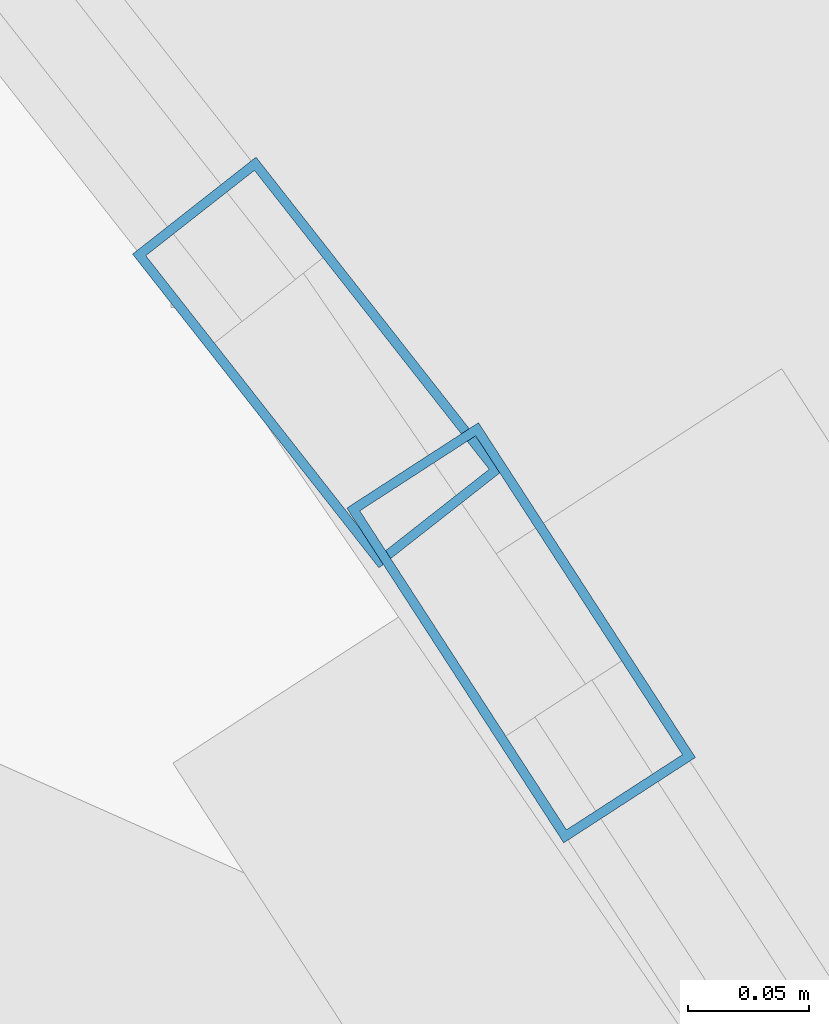
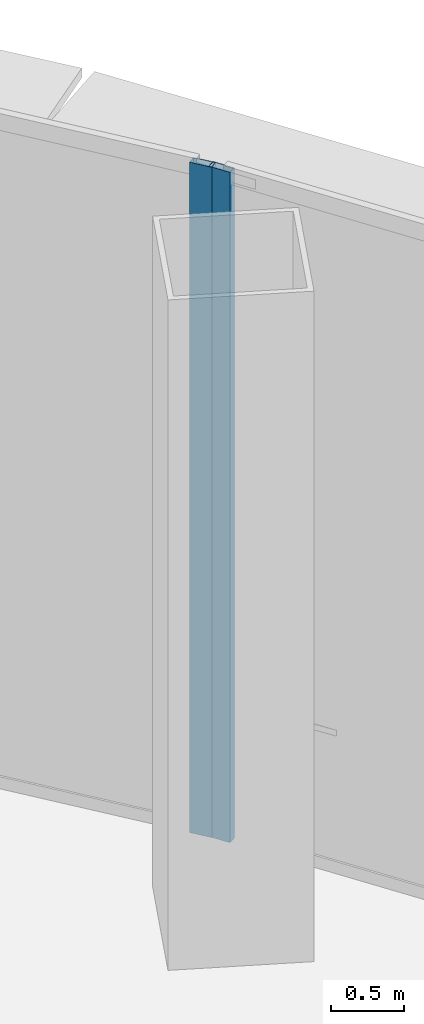
# One storey, part 19 of 36: 2 members, 2 elements without a shape of their own.
"""IFC4 building model written with IfcOpenShell, lengths in metres."""

import ifcopenshell
import ifcopenshell.guid

model = None  # the IFC model being written
_history = None  # IfcOwnerHistory: only IFC2X3 demands one
_inside = {}  # id of a spatial element -> (the spatial element, [elements in it])
_under = {}  # id of a project, library or spatial element -> (it, [spatial elements below it])
_declared = {}  # id of a project -> (the project, [libraries it declares])
_typed = {}  # id of a type object -> (the type object, [elements of that type])
_made_of = {}  # id of a material, layer set ... -> (it, [elements and type objects made of it])


def new_model(schema):
    """Start an empty IFC model of exactly this schema.

    Asked for "IFC4X3", IfcOpenShell would pick the latest addendum, in which some entities
    have other attributes; the version numbers below select the first issue.
    IFC2X3 requires an IfcOwnerHistory on every rooted entity: one is made here for all.
    """
    global model, _history
    if schema == "IFC4X3":
        model = ifcopenshell.file(schema_version=(4, 3, 0, 0))
    else:
        model = ifcopenshell.file(schema=schema)
    _inside.clear()
    _under.clear()
    _declared.clear()
    _typed.clear()
    _made_of.clear()
    _history = None
    if model.schema == "IFC2X3":
        org = make("IfcOrganization", Name="unknown")
        user = make(
            "IfcPersonAndOrganization",
            ThePerson=make("IfcPerson", FamilyName="unknown"),
            TheOrganization=org,
        )
        app = make(
            "IfcApplication",
            ApplicationDeveloper=org,
            Version="unknown",
            ApplicationFullName="unknown",
            ApplicationIdentifier="unknown",
        )
        _history = make(
            "IfcOwnerHistory",
            OwningUser=user,
            OwningApplication=app,
            ChangeAction="ADDED",
            CreationDate=0,
        )
    return model


def make(cls, **values):
    """One entity of the class cls with the attributes given. An attribute that is None is left unset."""
    return model.create_entity(
        cls, **{name: value for name, value in values.items() if value is not None}
    )


def rooted(cls, **values):
    """An entity with a GlobalId (a new one), such as an element, a storey or a relation."""
    return make(cls, GlobalId=ifcopenshell.guid.new(), OwnerHistory=_history, **values)


def si_unit(unit_type, name, prefix=None):
    """IfcSIUnit, for example si_unit("LENGTHUNIT", "METRE", prefix="MILLI")."""
    return make("IfcSIUnit", UnitType=unit_type, Prefix=prefix, Name=name)


def assignment(units):
    """IfcUnitAssignment: the units of a project."""
    return None if units is None else make("IfcUnitAssignment", Units=units)


def point(xyz):
    """IfcCartesianPoint."""
    return None if xyz is None else make("IfcCartesianPoint", Coordinates=xyz)


def direction(xyz):
    """IfcDirection."""
    return None if xyz is None else make("IfcDirection", DirectionRatios=xyz)


def frame(location, z_axis=None, x_axis=None):
    """IfcAxis2Placement3D, a coordinate frame: its origin and axes. An axis left out is left unset."""
    return make(
        "IfcAxis2Placement3D",
        Location=point(location),
        Axis=direction(z_axis),
        RefDirection=direction(x_axis),
    )


def frame_2d(location, x_axis=None):
    """IfcAxis2Placement2D, a coordinate frame in the plane: its origin and x axis."""
    return make(
        "IfcAxis2Placement2D", Location=point(location), RefDirection=direction(x_axis)
    )


def origin():
    """The frame at (0, 0, 0) with its axes left unset."""
    return frame((0.0, 0.0, 0.0))


def origin_2d():
    """The frame at (0, 0) in the plane with its x axis left unset."""
    return frame_2d((0.0, 0.0))


def place(relative_to, where):
    """IfcLocalPlacement: puts the frame where relative to a parent placement (None: the world)."""
    return make(
        "IfcLocalPlacement", PlacementRelTo=relative_to, RelativePlacement=where
    )


def context(
    kind, dimensions, precision=None, world=None, true_north=None, identifier=None
):
    """IfcGeometricRepresentationContext, for example the 3D "Model" context."""
    return make(
        "IfcGeometricRepresentationContext",
        ContextIdentifier=identifier,
        ContextType=kind,
        CoordinateSpaceDimension=dimensions,
        Precision=precision,
        WorldCoordinateSystem=world,
        TrueNorth=true_north,
    )


def subcontext(parent, identifier, kind, view, scale=None):
    """IfcGeometricRepresentationSubContext, for example "Body" below "Model"."""
    return make(
        "IfcGeometricRepresentationSubContext",
        ContextIdentifier=identifier,
        ContextType=kind,
        ParentContext=parent,
        TargetScale=scale,
        TargetView=view,
    )


def project(units=None, contexts=None):
    """IfcProject with its units and contexts."""
    return rooted(
        "IfcProject",
        Name="project",
        RepresentationContexts=contexts,
        UnitsInContext=assignment(units),
    )


def spatial(cls, under=None, at=None, **own):
    """A site, building, storey or space (cls), placed at a placement, below another one or the project."""
    s = rooted(cls, ObjectPlacement=at, **own)
    if under is not None:
        _under.setdefault(under.id(), (under, []))[1].append(s)
    return s


def profile(cls, at=None, kind="AREA", **sizes):
    """A parametric profile (cls). Its sizes go by their IFC names, for example OverallWidth=200.0."""
    return make(cls, ProfileType=kind, Position=at, **sizes)


def hollow_rectangle(**sizes):
    """IfcRectangleHollowProfileDef."""
    return profile("IfcRectangleHollowProfileDef", **sizes)


def extrude(swept, where, along, depth):
    """IfcExtrudedAreaSolid: the profile swept, set in the frame where, extruded along a direction by depth."""
    return make(
        "IfcExtrudedAreaSolid",
        SweptArea=swept,
        Position=where,
        ExtrudedDirection=direction(along),
        Depth=depth,
    )


def shape(context_of_items, identifier, shape_type, items):
    """IfcShapeRepresentation: the items that make up one representation, for example the "Body"."""
    return make(
        "IfcShapeRepresentation",
        ContextOfItems=context_of_items,
        RepresentationIdentifier=identifier,
        RepresentationType=shape_type,
        Items=items,
    )


def source(mapping_origin, context_of_items, identifier, shape_type, items):
    """IfcRepresentationMap: a shape defined once, which mapped items show again and again."""
    return make(
        "IfcRepresentationMap",
        MappingOrigin=mapping_origin,
        MappedRepresentation=shape(context_of_items, identifier, shape_type, items),
    )


def transform(
    local_origin,
    x_axis=None,
    y_axis=None,
    z_axis=None,
    scale=None,
    scale2=None,
    scale3=None,
    uniform=True,
):
    """IfcCartesianTransformationOperator3D, or its non-uniform kind. x_axis, y_axis, z_axis: its Axis1, 2, 3."""
    if uniform:
        return make(
            "IfcCartesianTransformationOperator3D",
            Axis1=direction(x_axis),
            Axis2=direction(y_axis),
            LocalOrigin=point(local_origin),
            Scale=scale,
            Axis3=direction(z_axis),
        )
    return make(
        "IfcCartesianTransformationOperator3DnonUniform",
        Axis1=direction(x_axis),
        Axis2=direction(y_axis),
        LocalOrigin=point(local_origin),
        Scale=scale,
        Axis3=direction(z_axis),
        Scale2=scale2,
        Scale3=scale3,
    )


def mapped(mapping_source, mapping_target):
    """IfcMappedItem: shows the shape of a source again, moved by a transform."""
    return make(
        "IfcMappedItem", MappingSource=mapping_source, MappingTarget=mapping_target
    )


def material(Name=None, Category=None):
    """IfcMaterial."""
    return make("IfcMaterial", Name=Name, Category=Category)


def layer(
    of_material, thickness, ventilated=None, Name=None, Category=None, Priority=None
):
    """IfcMaterialLayer: one layer of a wall or slab, of a material (None: an air gap)."""
    return make(
        "IfcMaterialLayer",
        Material=of_material,
        LayerThickness=thickness,
        IsVentilated=ventilated,
        Name=Name,
        Category=Category,
        Priority=Priority,
    )


def layer_set(layers, Name=None):
    """IfcMaterialLayerSet."""
    return make("IfcMaterialLayerSet", MaterialLayers=layers, LayerSetName=Name)


def material_profile(
    of_material, cross_section, Name=None, Category=None, Priority=None
):
    """IfcMaterialProfile: a cross section and its material."""
    return make(
        "IfcMaterialProfile",
        Name=Name,
        Material=of_material,
        Profile=cross_section,
        Priority=Priority,
        Category=Category,
    )


def profile_set(profiles, Name=None, composite=None):
    """IfcMaterialProfileSet."""
    return make(
        "IfcMaterialProfileSet",
        Name=Name,
        MaterialProfiles=profiles,
        CompositeProfile=composite,
    )


def made_of(thing, what):
    """Note that an element or type object is made of a material, layer set ...; save() writes the relation."""
    if what is not None:
        _made_of.setdefault(what.id(), (what, []))[1].append(thing)
    return thing


def type_object(cls, material=None, **own):
    """A type object (cls), such as IfcWallType, which elements share."""
    return made_of(rooted(cls, **own), material)


def element(
    cls,
    number,
    at=None,
    inside=None,
    cuts=None,
    type_object=None,
    material=None,
    context=None,
    identifier="Body",
    shape_type=None,
    held_by="IfcProductDefinitionShape",
    body=None,
    shapes=None,
    **own,
):
    """One element of the class cls, such as IfcWall. Its Tag is "e" and its number.

    at: its placement. inside: the storey or other place that contains it. cuts: it is an
    opening in that element (IfcRelVoidsElement). A single representation is given by context,
    identifier, shape_type and body (its items); several are given by shapes. held_by: the class
    of the entity that holds the representations. save() writes the other relations.
    """
    e = rooted(cls, Tag="e%d" % number, ObjectPlacement=at, **own)
    if body is not None:
        shapes = [shape(context, identifier, shape_type, body)]
    if shapes is not None:
        e.Representation = make(held_by, Representations=shapes)
    if inside is not None:
        _inside.setdefault(inside.id(), (inside, []))[1].append(e)
    if cuts is not None:
        rooted(
            "IfcRelVoidsElement", RelatingBuildingElement=cuts, RelatedOpeningElement=e
        )
    if type_object is not None:
        _typed.setdefault(type_object.id(), (type_object, []))[1].append(e)
    return made_of(e, material)


def aggregate(whole, parts):
    """IfcRelAggregates: a whole, such as a stair, and the parts it consists of."""
    return rooted("IfcRelAggregates", RelatingObject=whole, RelatedObjects=parts)


def save(model, path):
    """Write the relations noted so far, then the file.

    IfcRelAggregates (storeys below a building ...), IfcRelContainedInSpatialStructure (elements
    in a storey), IfcRelDefinesByType, IfcRelAssociatesMaterial and IfcRelDeclares: one each for
    every whole, place, type object, material and project.
    """
    for whole, parts in _under.values():
        aggregate(whole, parts)
    for where, things in _inside.values():
        rooted(
            "IfcRelContainedInSpatialStructure",
            RelatedElements=things,
            RelatingStructure=where,
        )
    for kind, things in _typed.values():
        rooted("IfcRelDefinesByType", RelatedObjects=things, RelatingType=kind)
    for what, things in _made_of.values():
        rooted("IfcRelAssociatesMaterial", RelatedObjects=things, RelatingMaterial=what)
    for by, libraries in _declared.values():
        rooted("IfcRelDeclares", RelatingContext=by, RelatedDefinitions=libraries)
    model.write(path)


model = new_model("IFC4")

# Units and contexts
model_context = context("Model", 3, precision=1e-05, world=origin(), true_north=direction((0.0, 1.0)))
body_context = subcontext(model_context, "Body", "Model", "MODEL_VIEW")
ifc_project = project(units=[si_unit("LENGTHUNIT", "METRE"), si_unit("AREAUNIT", "SQUARE_METRE"), si_unit("VOLUMEUNIT", "CUBIC_METRE"), si_unit("PLANEANGLEUNIT", "RADIAN"), si_unit("MASSUNIT", "GRAM", prefix="KILO"), si_unit("THERMODYNAMICTEMPERATUREUNIT", "KELVIN"), si_unit("POWERUNIT", "WATT")], contexts=[model_context])

# Site, building, storey
site_placement = place(None, origin())
site = spatial("IfcSite", under=ifc_project, at=site_placement, CompositionType="ELEMENT")
building_placement = place(site_placement, origin())
building = spatial("IfcBuilding", under=site, at=building_placement, Name="Yunzhuo Pagoda Commons", CompositionType="ELEMENT")
storey_placement = place(building_placement, frame((0.0, 0.0, 119.179931640625)))
storey = spatial("IfcBuildingStorey", under=building, at=storey_placement, Name="L30", CompositionType="ELEMENT", Elevation=119.179931640625)

# Curtain wall, member
ifc_material = material(Name="Anodized aluminium 6063-T6", Category="aluminium")
ifc_layer = layer(ifc_material, 0.1650390625)
ifc_layer_set = layer_set([ifc_layer], Name="Anodized aluminium 6063-T6")
curtain_wall_type = type_object("IfcCurtainWallType", Name="CW-LOW Low-Zone Ribbon Curtain Wall", PredefinedType="NOTDEFINED", material=ifc_layer_set)
curtain_wall_1_placement = place(storey_placement, origin())
curtain_wall_1 = element("IfcCurtainWall", 1, at=curtain_wall_1_placement, inside=storey, type_object=curtain_wall_type, Name="L30 curtain wall CW-L30-F2B4", PredefinedType="NOTDEFINED")
ifc_material_profile = material_profile(ifc_material, hollow_rectangle(XDim=0.06494140625, YDim=0.1650390625, WallThickness=0.00390625, at=origin_2d()), Name="Anodized aluminium 6063-T6")
ifc_profile_set = profile_set([ifc_material_profile], Name="Anodized aluminium 6063-T6")
member_type = type_object("IfcMemberType", Name="CW-LOW-M Mullion RHS 165x65x4", PredefinedType="MULLION", material=ifc_profile_set)
shared_shape = source(origin(), body_context, "Body", "SweptSolid", [
    extrude(hollow_rectangle(XDim=0.06494140625, YDim=0.1650390625, WallThickness=0.00390625, at=origin_2d()), origin(), (0.0, 0.0, 1.0), 5.570068359375),
])
member_1_placement = place(storey_placement, frame((64.386474609375, 70.43701171875, 0.0), z_axis=(0.0, 0.0, 1.0), x_axis=(-0.839174657882, -0.543862017031, 0.0)))
member_1 = element("IfcMember", 2, at=member_1_placement, type_object=member_type, Name="CW mullion 2", PredefinedType="MULLION", context=body_context, shape_type="MappedRepresentation", body=[
    mapped(shared_shape, transform((0.0, 0.0, 0.0), scale=1.0)),
])
aggregate(curtain_wall_1, [member_1])

curtain_wall_2_placement = place(storey_placement, origin())
curtain_wall_2 = element("IfcCurtainWall", 3, at=curtain_wall_2_placement, inside=storey, type_object=curtain_wall_type, Name="L30 curtain wall CW-L30-F2B5", PredefinedType="NOTDEFINED")
member_2_placement = place(storey_placement, frame((64.30224609375, 70.548828125, 0.0), z_axis=(0.0, 0.0, 1.0), x_axis=(-0.786482396484, -0.617612694186, 0.0)))
member_2 = element("IfcMember", 4, at=member_2_placement, type_object=member_type, Name="CW mullion 1", PredefinedType="MULLION", context=body_context, shape_type="MappedRepresentation", body=[
    mapped(shared_shape, transform((0.0, 0.0, 0.0), scale=1.0)),
])
aggregate(curtain_wall_2, [member_2])

save(model, "model.ifc")
